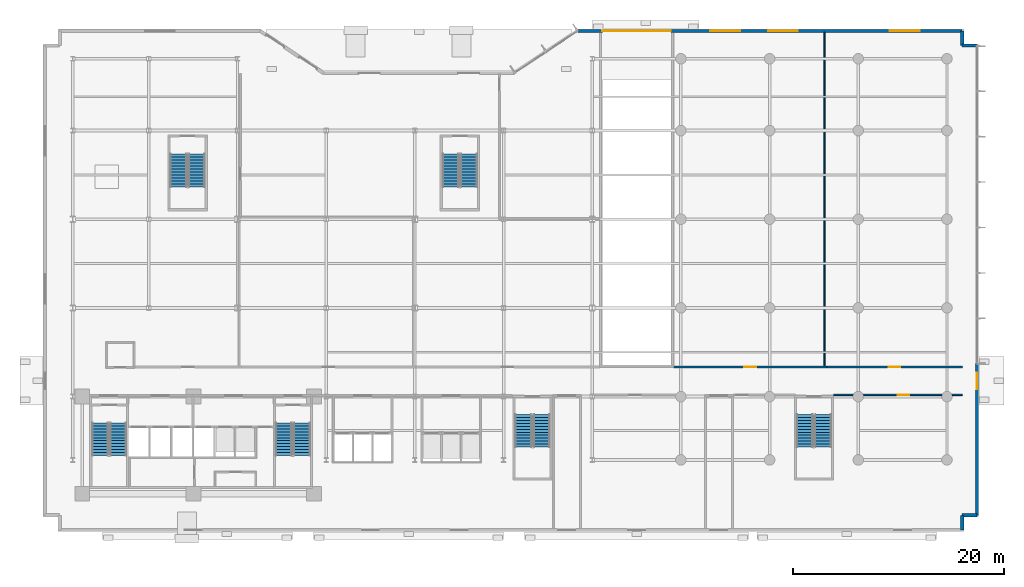
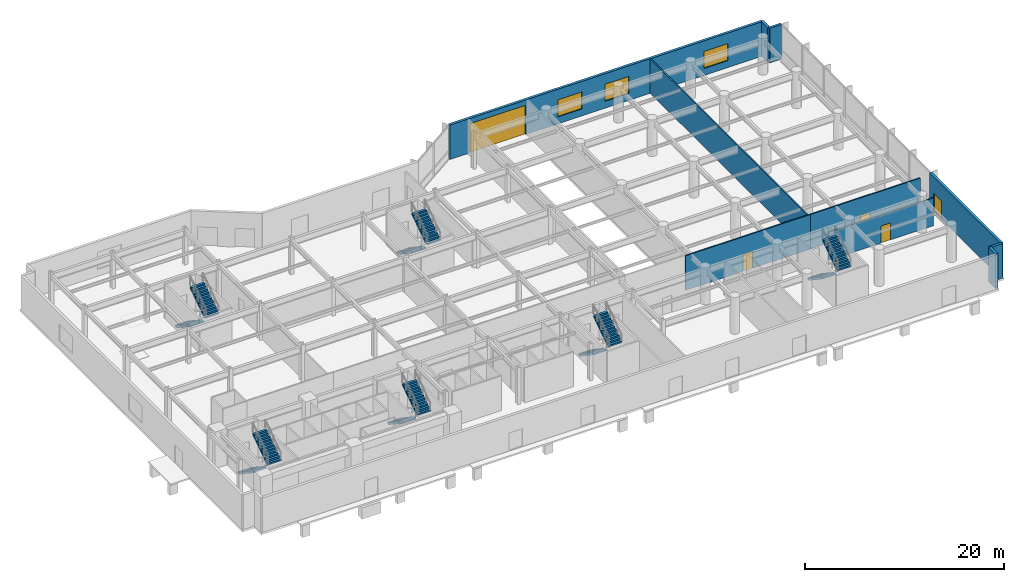
# One storey, part 17 of 26: 12 stair flights, 10 walls, 5 doors, 3 windows, 8 openings, 6 elements without a shape of their own.
"""IFC4 building model written with IfcOpenShell, lengths in metres."""

from ifc_helpers import new_model, si_unit, direction, frame, frame_2d, origin, place, context, subcontext, project, spatial, polyline, rectangle, outline, extrude, material, layer, layer_set, type_object, element, fill, aggregate, save


model = new_model("IFC4")

# Units and contexts
model_context = context("Model", 3, precision=1e-05, world=origin(), true_north=direction((0.0, 1.0)))
body_context = subcontext(model_context, "Body", "Model", "MODEL_VIEW")
ifc_project = project(units=[si_unit("LENGTHUNIT", "METRE"), si_unit("AREAUNIT", "SQUARE_METRE"), si_unit("VOLUMEUNIT", "CUBIC_METRE"), si_unit("PLANEANGLEUNIT", "RADIAN"), si_unit("MASSUNIT", "GRAM", prefix="KILO")], contexts=[model_context])

# Site, building, storey
site_placement = place(None, origin())
site = spatial("IfcSite", under=ifc_project, at=site_placement, CompositionType="ELEMENT")
building_placement = place(site_placement, origin())
building = spatial("IfcBuilding", under=site, at=building_placement, Name="Varnakote Quay Hospital", CompositionType="ELEMENT")
storey_placement = place(building_placement, origin())
storey = spatial("IfcBuildingStorey", under=building, at=storey_placement, Name="L00", CompositionType="ELEMENT", Elevation=0.0)

# Walls
ifc_material_1 = material(Name="Precast concrete N50 (f'c 50 MPa)", Category="concrete")
ifc_layer_1 = layer(ifc_material_1, 0.300048828125)
ifc_layer_set_1 = layer_set([ifc_layer_1], Name="Precast concrete N50 (f'c 50 MPa)")
wall_type_1 = type_object("IfcWallType", Name="WL-EXT-BRICK-300", PredefinedType="STANDARD", material=ifc_layer_set_1)
wall_1_placement = place(storey_placement, frame((85.43994140625, -0.639892578125, 0.0), z_axis=(0.0, 0.0, 1.0), x_axis=(0.0, 1.0, 0.0)))
element("IfcWall", 1, at=wall_1_placement, inside=storey, type_object=wall_type_1, Name="L00 Brick-Faced Precast Exterior Wall", PredefinedType="STANDARD", context=body_context, shape_type="SweptSolid", body=[
    extrude(rectangle(XDim=1.39990234375, YDim=0.300048828125, at=frame_2d((0.699951171875, 0.0))), origin(), (0.0, 0.0, 1.0), 4.25),
])
wall_2_placement = place(storey_placement, frame((85.43994140625, 0.760009765625, 0.0), z_axis=(0.0, 0.0, 1.0), x_axis=(1.0, 0.0, 0.0)))
element("IfcWall", 2, at=wall_2_placement, inside=storey, type_object=wall_type_1, Name="L00 Brick-Faced Precast Exterior Wall", PredefinedType="STANDARD", context=body_context, shape_type="SweptSolid", body=[
    extrude(rectangle(XDim=1.400146484375, YDim=0.300048828125, at=frame_2d((0.7001953125, 0.0))), origin(), (0.0, 0.0, 1.0), 4.25),
])

# Wall, opening, door
wall_3_placement = place(storey_placement, frame((86.840087890625, 15.114990234375, 0.0), z_axis=(0.0, 0.0, 1.0), x_axis=(0.0, -1.0, 0.0)))
wall_3 = element("IfcWall", 3, at=wall_3_placement, inside=storey, type_object=wall_type_1, Name="L00 East Protected Corridor Exterior Wall", PredefinedType="STANDARD", context=body_context, shape_type="SweptSolid", body=[
    extrude(rectangle(XDim=14.35498046875, YDim=0.300048828125, at=frame_2d((7.177490234375, 0.0))), origin(), (0.0, 0.0, 1.0), 4.25),
])
opening_1_placement = place(wall_3_placement, frame((0.8349609375, 0.0, 0.0)))
opening_1 = element("IfcOpeningElement", 4, at=opening_1_placement, cuts=wall_3, Name="Opening DE-ST6-L00", PredefinedType="OPENING", context=body_context, shape_type="SweptSolid", body=[
    extrude(rectangle(XDim=1.60009765625, YDim=2.199951171875, at=frame_2d((0.800048828125, 1.10009765625))), frame((0.0, 0.159912109375, 0.0), z_axis=(0.0, -1.0, 0.0), x_axis=(1.0, 0.0, 0.0)), (0.0, 0.0, 1.0), 0.320068359375),
])
ifc_material_2 = material(Name="Galvanised steel acoustic exit door", Category="steel")
door_type_1 = type_object("IfcDoorType", Name="DR-EXT-EXIT-1600x2200", OperationType="NOTDEFINED", PredefinedType="DOOR", material=ifc_material_2)
door_1_placement = place(opening_1_placement, origin())
door_1 = element("IfcDoor", 5, at=door_1_placement, inside=storey, type_object=door_type_1, Name="L00 Protected Fire Stair Final Exit Door DE-ST6-L00", OperationType="DOUBLE_DOOR_SINGLE_SWING", OverallHeight=2.199951171875, OverallWidth=1.60009765625, PredefinedType="DOOR", context=body_context, shape_type="SweptSolid", body=[
    extrude(rectangle(XDim=1.60009765625, YDim=2.199951171875, at=frame_2d((0.800048828125, 1.10009765625))), frame((0.0, 0.02490234375, 0.0), z_axis=(0.0, -1.0, 0.0), x_axis=(1.0, 0.0, 0.0)), (0.0, 0.0, 1.0), 0.050048828125),
])
fill(opening_1, door_1)

# Walls
wall_4_placement = place(storey_placement, frame((86.840087890625, 45.239990234375, 0.0), z_axis=(0.0, 0.0, 1.0), x_axis=(-1.0, 0.0, 0.0)))
element("IfcWall", 6, at=wall_4_placement, inside=storey, type_object=wall_type_1, Name="L00 Brick-Faced Precast Exterior Wall", PredefinedType="STANDARD", context=body_context, shape_type="SweptSolid", body=[
    extrude(rectangle(XDim=1.400146484375, YDim=0.300048828125, at=frame_2d((0.7001953125, 0.0))), origin(), (0.0, 0.0, 1.0), 4.25),
])
wall_5_placement = place(storey_placement, frame((85.43994140625, 45.239990234375, 0.0), z_axis=(0.0, 0.0, 1.0), x_axis=(0.0, 1.0, 0.0)))
element("IfcWall", 7, at=wall_5_placement, inside=storey, type_object=wall_type_1, Name="L00 Brick-Faced Precast Exterior Wall", PredefinedType="STANDARD", context=body_context, shape_type="SweptSolid", body=[
    extrude(rectangle(XDim=1.39990234375, YDim=0.300048828125, at=frame_2d((0.699951171875, 0.0))), origin(), (0.0, 0.0, 1.0), 4.25),
])

# Wall, openings, door, windows
wall_6_placement = place(storey_placement, frame((85.43994140625, 46.639892578125, 0.0), z_axis=(0.0, 0.0, 1.0), x_axis=(-1.0, 0.0, 0.0)))
wall_6 = element("IfcWall", 8, at=wall_6_placement, inside=storey, type_object=wall_type_1, Name="L00 Basement Ramp Portal & North-East Exterior Wall", PredefinedType="STANDARD", context=body_context, shape_type="SweptSolid", body=[
    extrude(rectangle(XDim=36.3916015625, YDim=0.300048828125, at=frame_2d((18.19580078125, 0.0))), origin(), (0.0, 0.0, 1.0), 4.25),
])
opening_2_placement = place(wall_6_placement, frame((27.590087890625, 0.0, 0.0)))
opening_2 = element("IfcOpeningElement", 9, at=opening_2_placement, cuts=wall_6, Name="Opening GATE-RMP-01", PredefinedType="OPENING", context=body_context, shape_type="SweptSolid", body=[
    extrude(rectangle(XDim=6.5, YDim=3.60009765625, at=frame_2d((3.25, 1.800048828125))), frame((0.0, 0.159912109375, 0.0), z_axis=(0.0, -1.0, 0.0), x_axis=(1.0, 0.0, 0.0)), (0.0, 0.0, 1.0), 0.320068359375),
])
opening_3_placement = place(wall_6_placement, frame((4.0400390625, 0.0, 0.85009765625)))
opening_3 = element("IfcOpeningElement", 10, at=opening_3_placement, cuts=wall_6, Name="Opening WN-0001", PredefinedType="OPENING", context=body_context, shape_type="SweptSolid", body=[
    extrude(rectangle(XDim=2.800048828125, YDim=2.10009765625, at=frame_2d((1.39990234375, 1.050048828125))), frame((0.0, 0.159912109375, 0.0), z_axis=(0.0, -1.0, 0.0), x_axis=(1.0, 0.0, 0.0)), (0.0, 0.0, 1.0), 0.320068359375),
])
opening_4_placement = place(wall_6_placement, frame((15.5849609375, 0.0, 0.85009765625)))
opening_4 = element("IfcOpeningElement", 11, at=opening_4_placement, cuts=wall_6, Name="Opening WN-0002", PredefinedType="OPENING", context=body_context, shape_type="SweptSolid", body=[
    extrude(rectangle(XDim=2.800048828125, YDim=2.10009765625, at=frame_2d((1.39990234375, 1.050048828125))), frame((0.0, 0.159912109375, 0.0), z_axis=(0.0, -1.0, 0.0), x_axis=(1.0, 0.0, 0.0)), (0.0, 0.0, 1.0), 0.320068359375),
])
opening_5_placement = place(wall_6_placement, frame((21.0400390625, 0.0, 0.85009765625)))
opening_5 = element("IfcOpeningElement", 12, at=opening_5_placement, cuts=wall_6, Name="Opening WN-0003", PredefinedType="OPENING", context=body_context, shape_type="SweptSolid", body=[
    extrude(rectangle(XDim=2.800048828125, YDim=2.10009765625, at=frame_2d((1.39990234375, 1.050048828125))), frame((0.0, 0.159912109375, 0.0), z_axis=(0.0, -1.0, 0.0), x_axis=(1.0, 0.0, 0.0)), (0.0, 0.0, 1.0), 0.320068359375),
])
ifc_material_3 = material(Name="Anodised aluminium roller shutter", Category="aluminium")
door_type_2 = type_object("IfcDoorType", Name="DR-VEH-GATE-6500x3600", OperationType="NOTDEFINED", PredefinedType="GATE", material=ifc_material_3)
door_2_placement = place(opening_2_placement, origin())
door_2 = element("IfcDoor", 13, at=door_2_placement, inside=storey, type_object=door_type_2, Name="Car Park Portal Vehicle Roller Shutter Gate", OperationType="ROLLINGUP", OverallHeight=3.60009765625, OverallWidth=6.5, PredefinedType="GATE", context=body_context, shape_type="SweptSolid", body=[
    extrude(rectangle(XDim=6.5, YDim=3.60009765625, at=frame_2d((3.25, 1.800048828125))), frame((0.0, 0.02490234375, 0.0), z_axis=(0.0, -1.0, 0.0), x_axis=(1.0, 0.0, 0.0)), (0.0, 0.0, 1.0), 0.050048828125),
])
fill(opening_2, door_2)
ifc_material_4 = material(Name="Double-glazed acoustic laminated glass", Category="glass")
window_type = type_object("IfcWindowType", Name="WIN-POD-2800x2100", PartitioningType="SINGLE_PANEL", PredefinedType="WINDOW", material=ifc_material_4)
window_1_placement = place(opening_3_placement, origin())
window_1 = element("IfcWindow", 14, at=window_1_placement, inside=storey, type_object=window_type, Name="L00 Solar-Control Clinical Window", OverallHeight=2.10009765625, OverallWidth=2.800048828125, PartitioningType="SINGLE_PANEL", PredefinedType="WINDOW", context=body_context, shape_type="SweptSolid", body=[
    extrude(rectangle(XDim=2.800048828125, YDim=2.10009765625, at=frame_2d((1.39990234375, 1.050048828125))), frame((0.0, 0.030029296875, 0.0), z_axis=(0.0, -1.0, 0.0), x_axis=(1.0, 0.0, 0.0)), (0.0, 0.0, 1.0), 0.06005859375),
])
fill(opening_3, window_1)
window_2_placement = place(opening_4_placement, origin())
window_2 = element("IfcWindow", 15, at=window_2_placement, inside=storey, type_object=window_type, Name="L00 Solar-Control Clinical Window", OverallHeight=2.10009765625, OverallWidth=2.800048828125, PartitioningType="SINGLE_PANEL", PredefinedType="WINDOW", context=body_context, shape_type="SweptSolid", body=[
    extrude(rectangle(XDim=2.800048828125, YDim=2.10009765625, at=frame_2d((1.39990234375, 1.050048828125))), frame((0.0, 0.030029296875, 0.0), z_axis=(0.0, -1.0, 0.0), x_axis=(1.0, 0.0, 0.0)), (0.0, 0.0, 1.0), 0.06005859375),
])
fill(opening_4, window_2)
window_3_placement = place(opening_5_placement, origin())
window_3 = element("IfcWindow", 16, at=window_3_placement, inside=storey, type_object=window_type, Name="L00 Solar-Control Clinical Window", OverallHeight=2.10009765625, OverallWidth=2.800048828125, PartitioningType="SINGLE_PANEL", PredefinedType="WINDOW", context=body_context, shape_type="SweptSolid", body=[
    extrude(rectangle(XDim=2.800048828125, YDim=2.10009765625, at=frame_2d((1.39990234375, 1.050048828125))), frame((0.0, 0.030029296875, 0.0), z_axis=(0.0, -1.0, 0.0), x_axis=(1.0, 0.0, 0.0)), (0.0, 0.0, 1.0), 0.06005859375),
])
fill(opening_5, window_3)

# Wall
ifc_material_5 = material(Name="Smoke-proof clinical partition", Category="gypsum")
ifc_layer_2 = layer(ifc_material_5, 0.135009765625)
ifc_layer_set_2 = layer_set([ifc_layer_2], Name="Smoke-proof clinical partition")
wall_type_2 = type_object("IfcWallType", Name="WL-SMOKE-135", PredefinedType="PARTITIONING", material=ifc_layer_set_2)
wall_7_placement = place(storey_placement, frame((72.39990234375, 14.864990234375, 0.0), z_axis=(0.0, 0.0, 1.0), x_axis=(0.0, 1.0, 0.0)))
element("IfcWall", 17, at=wall_7_placement, inside=storey, type_object=wall_type_2, Name="L00 Clinical Interior Partition", PredefinedType="PARTITIONING", context=body_context, shape_type="SweptSolid", body=[
    extrude(rectangle(XDim=31.635009765625, YDim=0.135009765625, at=frame_2d((15.8173828125, 0.0))), origin(), (0.0, 0.0, 1.0), 4.25),
])

# Wall, opening, door
ifc_material_6 = material(Name="Fire-rated clinical gypsum partition", Category="gypsum")
ifc_layer_3 = layer(ifc_material_6, 0.14990234375)
ifc_layer_set_3 = layer_set([ifc_layer_3], Name="Fire-rated clinical gypsum partition")
wall_type_3 = type_object("IfcWallType", Name="WL-WARD-150", PredefinedType="PARTITIONING", material=ifc_layer_set_3)
wall_8_placement = place(storey_placement, frame((73.271484375, 12.159912109375, 0.0), z_axis=(0.0, 0.0, 1.0), x_axis=(1.0, 0.0, 0.0)))
wall_8 = element("IfcWall", 18, at=wall_8_placement, inside=storey, type_object=wall_type_3, Name="L00 Clinical Interior Partition", PredefinedType="PARTITIONING", context=body_context, shape_type="SweptSolid", body=[
    extrude(rectangle(XDim=12.178466796875, YDim=0.14990234375, at=frame_2d((6.08935546875, 0.0))), origin(), (0.0, 0.0, 1.0), 3.425048828125),
])
opening_6_placement = place(wall_8_placement, frame((6.0732421875, 0.0, 0.0)))
opening_6 = element("IfcOpeningElement", 19, at=opening_6_placement, cuts=wall_8, Name="Opening D-L00-EDIAL", PredefinedType="OPENING", context=body_context, shape_type="SweptSolid", body=[
    extrude(rectangle(XDim=1.10009765625, YDim=2.10009765625, at=frame_2d((0.550048828125, 1.050048828125))), frame((0.0, 0.0849609375, 0.0), z_axis=(0.0, -1.0, 0.0), x_axis=(1.0, 0.0, 0.0)), (0.0, 0.0, 1.0), 0.169921875),
])
ifc_material_7 = material(Name="Acoustic timber clinical consult door", Category="wood")
door_type_3 = type_object("IfcDoorType", Name="DR-CLIN-FD30S-1100x2100", OperationType="NOTDEFINED", PredefinedType="DOOR", material=ifc_material_7)
door_3_placement = place(opening_6_placement, origin())
door_3 = element("IfcDoor", 20, at=door_3_placement, inside=storey, type_object=door_type_3, Name="L00 Renal Dialysis Day Treatment Suite Door", OperationType="SINGLE_SWING_LEFT", OverallHeight=2.10009765625, OverallWidth=1.10009765625, PredefinedType="DOOR", context=body_context, shape_type="SweptSolid", body=[
    extrude(rectangle(XDim=1.10009765625, YDim=2.10009765625, at=frame_2d((0.550048828125, 1.050048828125))), frame((0.0, 0.02490234375, 0.0), z_axis=(0.0, -1.0, 0.0), x_axis=(1.0, 0.0, 0.0)), (0.0, 0.0, 1.0), 0.050048828125),
])
fill(opening_6, door_3)

wall_9_placement = place(storey_placement, frame((72.617919921875, 14.800048828125, 0.0), z_axis=(0.0, 0.0, 1.0), x_axis=(-1.0, 0.0, 0.0)))
wall_9 = element("IfcWall", 21, at=wall_9_placement, inside=storey, type_object=wall_type_3, Name="L00 Clinical Interior Partition", PredefinedType="PARTITIONING", context=body_context, shape_type="SweptSolid", body=[
    extrude(rectangle(XDim=14.505859375, YDim=0.14990234375, at=frame_2d((7.2529296875, 0.0))), origin(), (0.0, 0.0, 1.0), 4.25),
])
opening_7_placement = place(wall_9_placement, frame((6.702880859375, 0.0, 0.0)))
opening_7 = element("IfcOpeningElement", 22, at=opening_7_placement, cuts=wall_9, Name="Opening D-L00-EOUT", PredefinedType="OPENING", context=body_context, shape_type="SweptSolid", body=[
    extrude(rectangle(XDim=1.10009765625, YDim=2.10009765625, at=frame_2d((0.550048828125, 1.050048828125))), frame((0.0, 0.0849609375, 0.0), z_axis=(0.0, -1.0, 0.0), x_axis=(1.0, 0.0, 0.0)), (0.0, 0.0, 1.0), 0.169921875),
])
door_4_placement = place(opening_7_placement, origin())
door_4 = element("IfcDoor", 23, at=door_4_placement, inside=storey, type_object=door_type_3, Name="L00 Waterfront Outpatient Rehabilitation Treatment Suite Door", OperationType="SINGLE_SWING_LEFT", OverallHeight=2.10009765625, OverallWidth=1.10009765625, PredefinedType="DOOR", context=body_context, shape_type="SweptSolid", body=[
    extrude(rectangle(XDim=1.10009765625, YDim=2.10009765625, at=frame_2d((0.550048828125, 1.050048828125))), frame((0.0, 0.02490234375, 0.0), z_axis=(0.0, -1.0, 0.0), x_axis=(1.0, 0.0, 0.0)), (0.0, 0.0, 1.0), 0.050048828125),
])
fill(opening_7, door_4)

wall_10_placement = place(storey_placement, frame((85.449951171875, 14.800048828125, 0.0), z_axis=(0.0, 0.0, 1.0), x_axis=(-1.0, 0.0, 0.0)))
wall_10 = element("IfcWall", 24, at=wall_10_placement, inside=storey, type_object=wall_type_3, Name="L00 Clinical Interior Partition", PredefinedType="PARTITIONING", context=body_context, shape_type="SweptSolid", body=[
    extrude(rectangle(XDim=12.830078125, YDim=0.14990234375, at=frame_2d((6.4150390625, 0.0))), origin(), (0.0, 0.0, 1.0), 4.25),
])
opening_8_placement = place(wall_10_placement, frame((5.864990234375, 0.0, 0.0)))
opening_8 = element("IfcOpeningElement", 25, at=opening_8_placement, cuts=wall_10, Name="Opening D-L00-EHYP", PredefinedType="OPENING", context=body_context, shape_type="SweptSolid", body=[
    extrude(rectangle(XDim=1.10009765625, YDim=2.10009765625, at=frame_2d((0.550048828125, 1.050048828125))), frame((0.0, 0.0849609375, 0.0), z_axis=(0.0, -1.0, 0.0), x_axis=(1.0, 0.0, 0.0)), (0.0, 0.0, 1.0), 0.169921875),
])
door_5_placement = place(opening_8_placement, origin())
door_5 = element("IfcDoor", 26, at=door_5_placement, inside=storey, type_object=door_type_3, Name="L00 Hyperbaric Medicine & Hydrotherapy Treatment Suite Door", OperationType="SINGLE_SWING_RIGHT", OverallHeight=2.10009765625, OverallWidth=1.10009765625, PredefinedType="DOOR", context=body_context, shape_type="SweptSolid", body=[
    extrude(rectangle(XDim=1.10009765625, YDim=2.10009765625, at=frame_2d((0.550048828125, 1.050048828125))), frame((0.0, 0.02490234375, 0.0), z_axis=(0.0, -1.0, 0.0), x_axis=(1.0, 0.0, 0.0)), (0.0, 0.0, 1.0), 0.050048828125),
])
fill(opening_8, door_5)

# Stair, stair flights
ifc_material_8 = material(Name="Concrete N40 (f'c 40 MPa)", Category="concrete")
stair_type_1 = type_object("IfcStairType", Name="STR-CORE-1580", PredefinedType="HALF_TURN_STAIR", material=ifc_material_8)
stair_1_placement = place(storey_placement, origin())
stair_1 = element("IfcStair", 27, at=stair_1_placement, inside=storey, type_object=stair_type_1, Name="L00 Fire-Isolated Exit Stair ST-01", PredefinedType="HALF_TURN_STAIR")
ifc_material_9 = material(Name="Concrete N40 (f'c 40 MPa)", Category="concrete")
ifc_layer_4 = layer(ifc_material_9, 0.159912109375)
ifc_layer_set_4 = layer_set([ifc_layer_4], Name="Concrete N40 (f'c 40 MPa)")
stair_flight_type_1 = type_object("IfcStairFlightType", Name="FLT-CORE-1580", PredefinedType="STRAIGHT", material=ifc_layer_set_4)
stair_flight_1_placement = place(storey_placement, frame((3.7900390625, 9.5, 0.0), z_axis=(0.0, 0.0, 1.0), x_axis=(0.0, -1.0, 0.0)))
stair_flight_1 = element("IfcStairFlight", 28, at=stair_flight_1_placement, type_object=stair_flight_type_1, Name="ST-01 flight 1", NumberOfRisers=12, NumberOfTreads=11, PredefinedType="STRAIGHT", RiserHeight=0.1875, TreadLength=0.28, context=body_context, shape_type="SweptSolid", body=[
    extrude(outline(polyline([(0.0, 0.0), (0.0, 0.1875), (0.280029296875, 0.1875), (0.280029296875, 0.375), (0.56005859375, 0.375), (0.56005859375, 0.5625), (0.840087890625, 0.5625), (0.840087890625, 0.75), (1.1201171875, 0.75), (1.1201171875, 0.9375), (1.39990234375, 0.9375), (1.39990234375, 1.125), (1.679931640625, 1.125), (1.679931640625, 1.3125), (1.9599609375, 1.3125), (1.9599609375, 1.5), (2.239990234375, 1.5), (2.239990234375, 1.6875), (2.52001953125, 1.6875), (2.52001953125, 1.875), (2.800048828125, 1.875), (2.800048828125, 2.0625), (3.080078125, 2.0625), (3.080078125, 2.25), (3.080078125, 1.8701171875), (0.287353515625, 0.0), (0.0, 0.0)])), frame((0.0, 0.7900390625, 0.0), z_axis=(0.0, -1.0, 0.0), x_axis=(1.0, 0.0, 0.0)), (0.0, 0.0, 1.0), 1.580078125),
])
stair_flight_2_placement = place(storey_placement, frame((5.510009765625, 6.419921875, 2.25), z_axis=(0.0, 0.0, 1.0), x_axis=(0.0, 1.0, 0.0)))
stair_flight_2 = element("IfcStairFlight", 29, at=stair_flight_2_placement, type_object=stair_flight_type_1, Name="ST-01 flight 2", NumberOfRisers=12, NumberOfTreads=11, PredefinedType="STRAIGHT", RiserHeight=0.1875, TreadLength=0.28, context=body_context, shape_type="SweptSolid", body=[
    extrude(outline(polyline([(0.0, 0.0), (0.0, 0.1875), (0.280029296875, 0.1875), (0.280029296875, 0.375), (0.56005859375, 0.375), (0.56005859375, 0.5625), (0.840087890625, 0.5625), (0.840087890625, 0.75), (1.1201171875, 0.75), (1.1201171875, 0.9375), (1.39990234375, 0.9375), (1.39990234375, 1.125), (1.679931640625, 1.125), (1.679931640625, 1.3125), (1.9599609375, 1.3125), (1.9599609375, 1.5), (2.239990234375, 1.5), (2.239990234375, 1.6875), (2.52001953125, 1.6875), (2.52001953125, 1.875), (2.800048828125, 1.875), (2.800048828125, 2.0625), (3.080078125, 2.0625), (3.080078125, 2.25), (3.080078125, 1.8701171875), (0.287353515625, 0.0), (0.0, 0.0)])), frame((0.0, 0.7900390625, 0.0), z_axis=(0.0, -1.0, 0.0), x_axis=(1.0, 0.0, 0.0)), (0.0, 0.0, 1.0), 1.580078125),
])
aggregate(stair_1, [stair_flight_1, stair_flight_2])

stair_2_placement = place(storey_placement, origin())
stair_2 = element("IfcStair", 30, at=stair_2_placement, inside=storey, type_object=stair_type_1, Name="L00 Fire-Isolated Exit Stair ST-02", PredefinedType="HALF_TURN_STAIR")
stair_flight_3_placement = place(storey_placement, frame((21.18994140625, 9.5, 0.0), z_axis=(0.0, 0.0, 1.0), x_axis=(0.0, -1.0, 0.0)))
stair_flight_3 = element("IfcStairFlight", 31, at=stair_flight_3_placement, type_object=stair_flight_type_1, Name="ST-02 flight 1", NumberOfRisers=12, NumberOfTreads=11, PredefinedType="STRAIGHT", RiserHeight=0.1875, TreadLength=0.28, context=body_context, shape_type="SweptSolid", body=[
    extrude(outline(polyline([(0.0, 0.0), (0.0, 0.1875), (0.280029296875, 0.1875), (0.280029296875, 0.375), (0.56005859375, 0.375), (0.56005859375, 0.5625), (0.840087890625, 0.5625), (0.840087890625, 0.75), (1.1201171875, 0.75), (1.1201171875, 0.9375), (1.39990234375, 0.9375), (1.39990234375, 1.125), (1.679931640625, 1.125), (1.679931640625, 1.3125), (1.9599609375, 1.3125), (1.9599609375, 1.5), (2.239990234375, 1.5), (2.239990234375, 1.6875), (2.52001953125, 1.6875), (2.52001953125, 1.875), (2.800048828125, 1.875), (2.800048828125, 2.0625), (3.080078125, 2.0625), (3.080078125, 2.25), (3.080078125, 1.8701171875), (0.287353515625, 0.0), (0.0, 0.0)])), frame((0.0, 0.7900390625, 0.0), z_axis=(0.0, -1.0, 0.0), x_axis=(1.0, 0.0, 0.0)), (0.0, 0.0, 1.0), 1.580078125),
])
stair_flight_4_placement = place(storey_placement, frame((22.909912109375, 6.419921875, 2.25), z_axis=(0.0, 0.0, 1.0), x_axis=(0.0, 1.0, 0.0)))
stair_flight_4 = element("IfcStairFlight", 32, at=stair_flight_4_placement, type_object=stair_flight_type_1, Name="ST-02 flight 2", NumberOfRisers=12, NumberOfTreads=11, PredefinedType="STRAIGHT", RiserHeight=0.1875, TreadLength=0.28, context=body_context, shape_type="SweptSolid", body=[
    extrude(outline(polyline([(0.0, 0.0), (0.0, 0.1875), (0.280029296875, 0.1875), (0.280029296875, 0.375), (0.56005859375, 0.375), (0.56005859375, 0.5625), (0.840087890625, 0.5625), (0.840087890625, 0.75), (1.1201171875, 0.75), (1.1201171875, 0.9375), (1.39990234375, 0.9375), (1.39990234375, 1.125), (1.679931640625, 1.125), (1.679931640625, 1.3125), (1.9599609375, 1.3125), (1.9599609375, 1.5), (2.239990234375, 1.5), (2.239990234375, 1.6875), (2.52001953125, 1.6875), (2.52001953125, 1.875), (2.800048828125, 1.875), (2.800048828125, 2.0625), (3.080078125, 2.0625), (3.080078125, 2.25), (3.080078125, 1.8701171875), (0.287353515625, 0.0), (0.0, 0.0)])), frame((0.0, 0.7900390625, 0.0), z_axis=(0.0, -1.0, 0.0), x_axis=(1.0, 0.0, 0.0)), (0.0, 0.0, 1.0), 1.580078125),
])
aggregate(stair_2, [stair_flight_3, stair_flight_4])

stair_3_placement = place(storey_placement, origin())
stair_3 = element("IfcStair", 33, at=stair_3_placement, inside=storey, type_object=stair_type_1, Name="L00 Fire-Isolated Exit Stair ST-03", PredefinedType="HALF_TURN_STAIR")
stair_flight_5_placement = place(storey_placement, frame((43.889892578125, 10.300048828125, 0.0), z_axis=(0.0, 0.0, 1.0), x_axis=(0.0, -1.0, 0.0)))
stair_flight_5 = element("IfcStairFlight", 34, at=stair_flight_5_placement, type_object=stair_flight_type_1, Name="ST-03 flight 1", NumberOfRisers=12, NumberOfTreads=11, PredefinedType="STRAIGHT", RiserHeight=0.1875, TreadLength=0.28, context=body_context, shape_type="SweptSolid", body=[
    extrude(outline(polyline([(0.0, 0.0), (0.0, 0.1875), (0.280029296875, 0.1875), (0.280029296875, 0.375), (0.56005859375, 0.375), (0.56005859375, 0.5625), (0.840087890625, 0.5625), (0.840087890625, 0.75), (1.1201171875, 0.75), (1.1201171875, 0.9375), (1.39990234375, 0.9375), (1.39990234375, 1.125), (1.679931640625, 1.125), (1.679931640625, 1.3125), (1.9599609375, 1.3125), (1.9599609375, 1.5), (2.239990234375, 1.5), (2.239990234375, 1.6875), (2.52001953125, 1.6875), (2.52001953125, 1.875), (2.800048828125, 1.875), (2.800048828125, 2.0625), (3.080078125, 2.0625), (3.080078125, 2.25), (3.080078125, 1.8701171875), (0.287353515625, 0.0), (0.0, 0.0)])), frame((0.0, 0.7900390625, 0.0), z_axis=(0.0, -1.0, 0.0), x_axis=(1.0, 0.0, 0.0)), (0.0, 0.0, 1.0), 1.580078125),
])
stair_flight_6_placement = place(storey_placement, frame((45.610107421875, 7.219970703125, 2.25), z_axis=(0.0, 0.0, 1.0), x_axis=(0.0, 1.0, 0.0)))
stair_flight_6 = element("IfcStairFlight", 35, at=stair_flight_6_placement, type_object=stair_flight_type_1, Name="ST-03 flight 2", NumberOfRisers=12, NumberOfTreads=11, PredefinedType="STRAIGHT", RiserHeight=0.1875, TreadLength=0.28, context=body_context, shape_type="SweptSolid", body=[
    extrude(outline(polyline([(0.0, 0.0), (0.0, 0.1875), (0.280029296875, 0.1875), (0.280029296875, 0.375), (0.56005859375, 0.375), (0.56005859375, 0.5625), (0.840087890625, 0.5625), (0.840087890625, 0.75), (1.1201171875, 0.75), (1.1201171875, 0.9375), (1.39990234375, 0.9375), (1.39990234375, 1.125), (1.679931640625, 1.125), (1.679931640625, 1.3125), (1.9599609375, 1.3125), (1.9599609375, 1.5), (2.239990234375, 1.5), (2.239990234375, 1.6875), (2.52001953125, 1.6875), (2.52001953125, 1.875), (2.800048828125, 1.875), (2.800048828125, 2.0625), (3.080078125, 2.0625), (3.080078125, 2.25), (3.080078125, 1.8701171875), (0.287353515625, 0.0), (0.0, 0.0)])), frame((0.0, 0.7900390625, 0.0), z_axis=(0.0, -1.0, 0.0), x_axis=(1.0, 0.0, 0.0)), (0.0, 0.0, 1.0), 1.580078125),
])
aggregate(stair_3, [stair_flight_5, stair_flight_6])

stair_4_placement = place(storey_placement, origin())
stair_4 = element("IfcStair", 36, at=stair_4_placement, inside=storey, type_object=stair_type_1, Name="L00 East Podium Fire-Isolated Exit Stair ST-06", PredefinedType="HALF_TURN_STAIR")
stair_flight_7_placement = place(storey_placement, frame((70.5400390625, 10.300048828125, 0.0), z_axis=(0.0, 0.0, 1.0), x_axis=(0.0, -1.0, 0.0)))
stair_flight_7 = element("IfcStairFlight", 37, at=stair_flight_7_placement, type_object=stair_flight_type_1, Name="ST-06 flight 1", NumberOfRisers=12, NumberOfTreads=11, PredefinedType="STRAIGHT", RiserHeight=0.1875, TreadLength=0.28, context=body_context, shape_type="SweptSolid", body=[
    extrude(outline(polyline([(0.0, 0.0), (0.0, 0.1875), (0.280029296875, 0.1875), (0.280029296875, 0.375), (0.56005859375, 0.375), (0.56005859375, 0.5625), (0.840087890625, 0.5625), (0.840087890625, 0.75), (1.1201171875, 0.75), (1.1201171875, 0.9375), (1.39990234375, 0.9375), (1.39990234375, 1.125), (1.679931640625, 1.125), (1.679931640625, 1.3125), (1.9599609375, 1.3125), (1.9599609375, 1.5), (2.239990234375, 1.5), (2.239990234375, 1.6875), (2.52001953125, 1.6875), (2.52001953125, 1.875), (2.800048828125, 1.875), (2.800048828125, 2.0625), (3.080078125, 2.0625), (3.080078125, 2.25), (3.080078125, 1.8701171875), (0.287353515625, 0.0), (0.0, 0.0)])), frame((0.0, 0.7900390625, 0.0), z_axis=(0.0, -1.0, 0.0), x_axis=(1.0, 0.0, 0.0)), (0.0, 0.0, 1.0), 1.580078125),
])
stair_flight_8_placement = place(storey_placement, frame((72.260009765625, 7.219970703125, 2.25), z_axis=(0.0, 0.0, 1.0), x_axis=(0.0, 1.0, 0.0)))
stair_flight_8 = element("IfcStairFlight", 38, at=stair_flight_8_placement, type_object=stair_flight_type_1, Name="ST-06 flight 2", NumberOfRisers=12, NumberOfTreads=11, PredefinedType="STRAIGHT", RiserHeight=0.1875, TreadLength=0.28, context=body_context, shape_type="SweptSolid", body=[
    extrude(outline(polyline([(0.0, 0.0), (0.0, 0.1875), (0.280029296875, 0.1875), (0.280029296875, 0.375), (0.56005859375, 0.375), (0.56005859375, 0.5625), (0.840087890625, 0.5625), (0.840087890625, 0.75), (1.1201171875, 0.75), (1.1201171875, 0.9375), (1.39990234375, 0.9375), (1.39990234375, 1.125), (1.679931640625, 1.125), (1.679931640625, 1.3125), (1.9599609375, 1.3125), (1.9599609375, 1.5), (2.239990234375, 1.5), (2.239990234375, 1.6875), (2.52001953125, 1.6875), (2.52001953125, 1.875), (2.800048828125, 1.875), (2.800048828125, 2.0625), (3.080078125, 2.0625), (3.080078125, 2.25), (3.080078125, 1.8701171875), (0.287353515625, 0.0), (0.0, 0.0)])), frame((0.0, 0.7900390625, 0.0), z_axis=(0.0, -1.0, 0.0), x_axis=(1.0, 0.0, 0.0)), (0.0, 0.0, 1.0), 1.580078125),
])
aggregate(stair_4, [stair_flight_7, stair_flight_8])

ifc_material_10 = material(Name="Concrete N40 (f'c 40 MPa)", Category="concrete")
stair_type_2 = type_object("IfcStairType", Name="STR-POD-1600", PredefinedType="HALF_TURN_STAIR", material=ifc_material_10)
stair_5_placement = place(storey_placement, origin())
stair_5 = element("IfcStair", 39, at=stair_5_placement, inside=storey, type_object=stair_type_2, Name="L00 Podium Diagnostic Stair ST-04", PredefinedType="HALF_TURN_STAIR")
ifc_material_11 = material(Name="Concrete N40 (f'c 40 MPa)", Category="concrete")
ifc_layer_5 = layer(ifc_material_11, 0.179931640625)
ifc_layer_set_5 = layer_set([ifc_layer_5], Name="Concrete N40 (f'c 40 MPa)")
stair_flight_type_2 = type_object("IfcStairFlightType", Name="FLT-POD-1600", PredefinedType="STRAIGHT", material=ifc_layer_set_5)
stair_flight_9_placement = place(storey_placement, frame((11.199951171875, 34.97998046875, 0.0), z_axis=(0.0, 0.0, 1.0), x_axis=(0.0, -1.0, 0.0)))
stair_flight_9 = element("IfcStairFlight", 40, at=stair_flight_9_placement, type_object=stair_flight_type_2, Name="ST-04 flight 1", NumberOfRisers=12, NumberOfTreads=11, PredefinedType="STRAIGHT", RiserHeight=0.1875, TreadLength=0.285, context=body_context, shape_type="SweptSolid", body=[
    extrude(outline(polyline([(0.0, 0.0), (0.0, 0.1875), (0.284912109375, 0.1875), (0.284912109375, 0.375), (0.570068359375, 0.375), (0.570068359375, 0.5625), (0.85498046875, 0.5625), (0.85498046875, 0.75), (1.139892578125, 0.75), (1.139892578125, 0.9375), (1.425048828125, 0.9375), (1.425048828125, 1.125), (1.7099609375, 1.125), (1.7099609375, 1.3125), (1.9951171875, 1.3125), (1.9951171875, 1.5), (2.280029296875, 1.5), (2.280029296875, 1.6875), (2.56494140625, 1.6875), (2.56494140625, 1.875), (2.85009765625, 1.875), (2.85009765625, 2.0625), (3.135009765625, 2.0625), (3.135009765625, 2.25), (3.135009765625, 1.84716796875), (0.327392578125, 0.0), (0.0, 0.0)])), frame((0.0, 0.800048828125, 0.0), z_axis=(0.0, -1.0, 0.0), x_axis=(1.0, 0.0, 0.0)), (0.0, 0.0, 1.0), 1.60009765625),
])
stair_flight_10_placement = place(storey_placement, frame((12.93994140625, 31.844970703125, 2.25), z_axis=(0.0, 0.0, 1.0), x_axis=(0.0, 1.0, 0.0)))
stair_flight_10 = element("IfcStairFlight", 41, at=stair_flight_10_placement, type_object=stair_flight_type_2, Name="ST-04 flight 2", NumberOfRisers=12, NumberOfTreads=11, PredefinedType="STRAIGHT", RiserHeight=0.1875, TreadLength=0.285, context=body_context, shape_type="SweptSolid", body=[
    extrude(outline(polyline([(0.0, 0.0), (0.0, 0.1875), (0.284912109375, 0.1875), (0.284912109375, 0.375), (0.570068359375, 0.375), (0.570068359375, 0.5625), (0.85498046875, 0.5625), (0.85498046875, 0.75), (1.139892578125, 0.75), (1.139892578125, 0.9375), (1.425048828125, 0.9375), (1.425048828125, 1.125), (1.7099609375, 1.125), (1.7099609375, 1.3125), (1.9951171875, 1.3125), (1.9951171875, 1.5), (2.280029296875, 1.5), (2.280029296875, 1.6875), (2.56494140625, 1.6875), (2.56494140625, 1.875), (2.85009765625, 1.875), (2.85009765625, 2.0625), (3.135009765625, 2.0625), (3.135009765625, 2.25), (3.135009765625, 1.84716796875), (0.327392578125, 0.0), (0.0, 0.0)])), frame((0.0, 0.800048828125, 0.0), z_axis=(0.0, -1.0, 0.0), x_axis=(1.0, 0.0, 0.0)), (0.0, 0.0, 1.0), 1.60009765625),
])
aggregate(stair_5, [stair_flight_9, stair_flight_10])

stair_6_placement = place(storey_placement, origin())
stair_6 = element("IfcStair", 42, at=stair_6_placement, inside=storey, type_object=stair_type_2, Name="L00 Podium Surgical Stair ST-05", PredefinedType="HALF_TURN_STAIR")
stair_flight_11_placement = place(storey_placement, frame((37.0, 34.97998046875, 0.0), z_axis=(0.0, 0.0, 1.0), x_axis=(0.0, -1.0, 0.0)))
stair_flight_11 = element("IfcStairFlight", 43, at=stair_flight_11_placement, type_object=stair_flight_type_2, Name="ST-05 flight 1", NumberOfRisers=12, NumberOfTreads=11, PredefinedType="STRAIGHT", RiserHeight=0.1875, TreadLength=0.285, context=body_context, shape_type="SweptSolid", body=[
    extrude(outline(polyline([(0.0, 0.0), (0.0, 0.1875), (0.284912109375, 0.1875), (0.284912109375, 0.375), (0.570068359375, 0.375), (0.570068359375, 0.5625), (0.85498046875, 0.5625), (0.85498046875, 0.75), (1.139892578125, 0.75), (1.139892578125, 0.9375), (1.425048828125, 0.9375), (1.425048828125, 1.125), (1.7099609375, 1.125), (1.7099609375, 1.3125), (1.9951171875, 1.3125), (1.9951171875, 1.5), (2.280029296875, 1.5), (2.280029296875, 1.6875), (2.56494140625, 1.6875), (2.56494140625, 1.875), (2.85009765625, 1.875), (2.85009765625, 2.0625), (3.135009765625, 2.0625), (3.135009765625, 2.25), (3.135009765625, 1.84716796875), (0.327392578125, 0.0), (0.0, 0.0)])), frame((0.0, 0.800048828125, 0.0), z_axis=(0.0, -1.0, 0.0), x_axis=(1.0, 0.0, 0.0)), (0.0, 0.0, 1.0), 1.60009765625),
])
stair_flight_12_placement = place(storey_placement, frame((38.739990234375, 31.844970703125, 2.25), z_axis=(0.0, 0.0, 1.0), x_axis=(0.0, 1.0, 0.0)))
stair_flight_12 = element("IfcStairFlight", 44, at=stair_flight_12_placement, type_object=stair_flight_type_2, Name="ST-05 flight 2", NumberOfRisers=12, NumberOfTreads=11, PredefinedType="STRAIGHT", RiserHeight=0.1875, TreadLength=0.285, context=body_context, shape_type="SweptSolid", body=[
    extrude(outline(polyline([(0.0, 0.0), (0.0, 0.1875), (0.284912109375, 0.1875), (0.284912109375, 0.375), (0.570068359375, 0.375), (0.570068359375, 0.5625), (0.85498046875, 0.5625), (0.85498046875, 0.75), (1.139892578125, 0.75), (1.139892578125, 0.9375), (1.425048828125, 0.9375), (1.425048828125, 1.125), (1.7099609375, 1.125), (1.7099609375, 1.3125), (1.9951171875, 1.3125), (1.9951171875, 1.5), (2.280029296875, 1.5), (2.280029296875, 1.6875), (2.56494140625, 1.6875), (2.56494140625, 1.875), (2.85009765625, 1.875), (2.85009765625, 2.0625), (3.135009765625, 2.0625), (3.135009765625, 2.25), (3.135009765625, 1.84716796875), (0.327392578125, 0.0), (0.0, 0.0)])), frame((0.0, 0.800048828125, 0.0), z_axis=(0.0, -1.0, 0.0), x_axis=(1.0, 0.0, 0.0)), (0.0, 0.0, 1.0), 1.60009765625),
])
aggregate(stair_6, [stair_flight_11, stair_flight_12])

save(model, "model.ifc")
